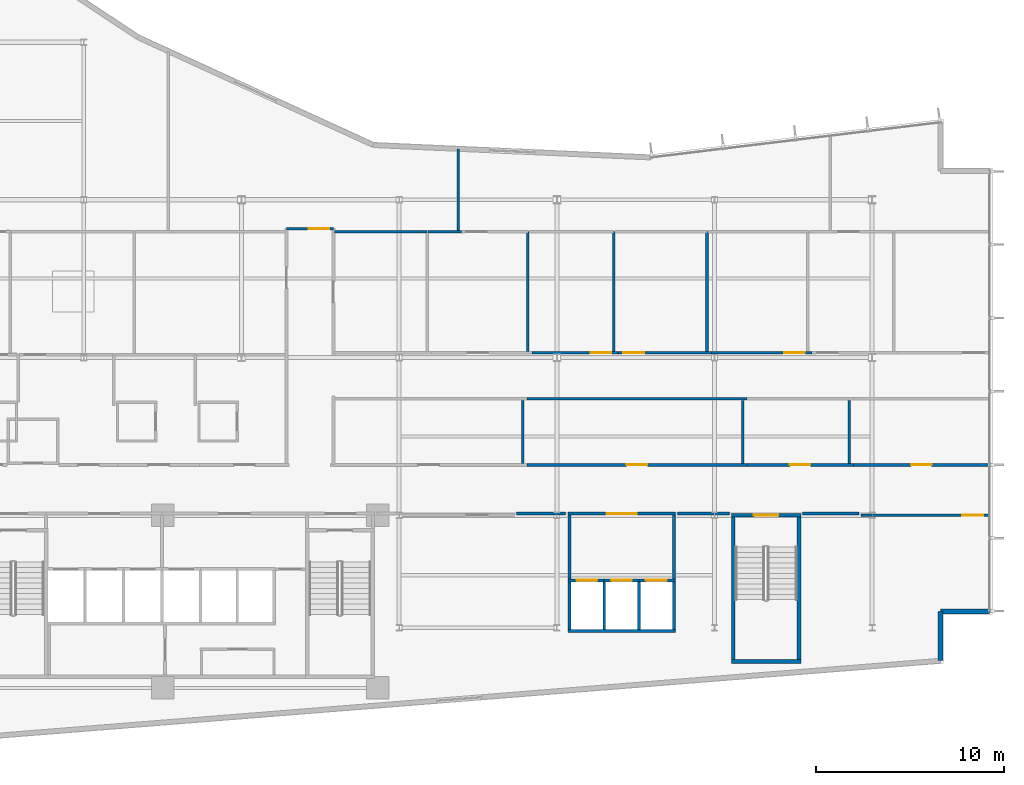
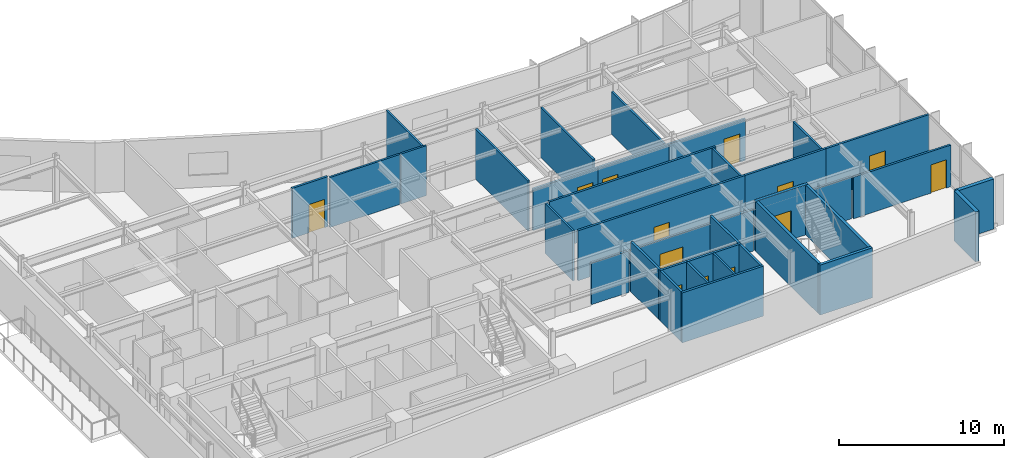
# One storey, part 12 of 17: 38 walls, 13 doors, 13 openings.
"""IFC4 building model written with IfcOpenShell, lengths in metres."""

from ifc_helpers import new_model, si_unit, direction, frame, frame_2d, origin, place, context, subcontext, project, spatial, rectangle, extrude, material, layer, layer_set, type_object, element, fill, save


model = new_model("IFC4")

# Units and contexts
model_context = context("Model", 3, precision=1e-05, world=origin(), true_north=direction((0.0, 1.0)))
body_context = subcontext(model_context, "Body", "Model", "MODEL_VIEW")
ifc_project = project(units=[si_unit("LENGTHUNIT", "METRE"), si_unit("AREAUNIT", "SQUARE_METRE"), si_unit("VOLUMEUNIT", "CUBIC_METRE"), si_unit("PLANEANGLEUNIT", "RADIAN"), si_unit("MASSUNIT", "GRAM", prefix="KILO")], contexts=[model_context])

# Site, building, storey
site_placement = place(None, origin())
site = spatial("IfcSite", under=ifc_project, at=site_placement, CompositionType="ELEMENT")
building_placement = place(site_placement, origin())
building = spatial("IfcBuilding", under=site, at=building_placement, Name="Varnakote Quay Hospital", CompositionType="ELEMENT")
storey_placement = place(building_placement, frame((0.0, 0.0, 127.050048828125)))
storey = spatial("IfcBuildingStorey", under=building, at=storey_placement, Name="L31", CompositionType="ELEMENT", Elevation=127.050048828125)

# Walls
ifc_material_1 = material(Name="Fire-rated acoustic gypsum stud wall", Category="gypsum")
ifc_layer_1 = layer(ifc_material_1, 0.159912109375)
ifc_layer_set_1 = layer_set([ifc_layer_1], Name="Fire-rated acoustic gypsum stud wall")
wall_type_1 = type_object("IfcWallType", Name="WL-COMP-160", PredefinedType="PARTITIONING", material=ifc_layer_set_1)
for number, where, z_axis, x_axis, name in (
    (1, (34.27001953125, 8.610107421875, 0.0), (0.0, 0.0, 1.0), (0.0, 1.0, 0.0), "L31 Mid-Rise Lift Lobby West Wall"),
    (2, (39.830078125, 8.610107421875, 0.0), (0.0, 0.0, 1.0), (0.0, 1.0, 0.0), "L31 Mid-Rise Lift Lobby East Wall"),
):
    element("IfcWall", number, at=place(storey_placement, frame(where, z_axis=z_axis, x_axis=x_axis)), inside=storey, type_object=wall_type_1, Name=name, PredefinedType="PARTITIONING", context=body_context, shape_type="SweptSolid", body=[
        extrude(rectangle(XDim=3.389892578125, YDim=0.159912109375, at=frame_2d((1.69482421875, 0.0))), origin(), (0.0, 0.0, 1.0), 3.7099609375),
    ])

# Wall, opening, door
wall_1_placement = place(storey_placement, frame((34.18994140625, 12.080078125, 0.0), z_axis=(0.0, 0.0, 1.0), x_axis=(1.0, 0.0, 0.0)))
wall_1 = element("IfcWall", 3, at=wall_1_placement, inside=storey, type_object=wall_type_1, Name="L31 Mid-Rise Lift Lobby North Wall", PredefinedType="PARTITIONING", context=body_context, shape_type="SweptSolid", body=[
    extrude(rectangle(XDim=5.719970703125, YDim=0.159912109375, at=frame_2d((2.85986328125, 0.0))), origin(), (0.0, 0.0, 1.0), 3.0830078125),
])
opening_1_placement = place(wall_1_placement, frame((2.06005859375, 0.0, 0.0)))
opening_1 = element("IfcOpeningElement", 4, at=opening_1_placement, cuts=wall_1, Name="Opening D-PML-L31", PredefinedType="OPENING", context=body_context, shape_type="SweptSolid", body=[
    extrude(rectangle(XDim=1.60009765625, YDim=2.050048828125, at=frame_2d((0.800048828125, 1.02490234375))), frame((0.0, 0.08984375, 0.0), z_axis=(0.0, -1.0, 0.0), x_axis=(1.0, 0.0, 0.0)), (0.0, 0.0, 1.0), 0.179931640625),
])
ifc_material_2 = material(Name="Fire-rated double smoke lobby door")
door_type_1 = type_object("IfcDoorType", Name="DR-LOBBY-FD60S-1600x2150", OperationType="NOTDEFINED", PredefinedType="DOOR", material=ifc_material_2)
door_1_placement = place(opening_1_placement, origin())
door_1 = element("IfcDoor", 5, at=door_1_placement, inside=storey, type_object=door_type_1, Name="L31 Mid-Rise Passenger Concourse Vestibule Door", OperationType="DOUBLE_DOOR_SINGLE_SWING", OverallHeight=2.050048828125, OverallWidth=1.60009765625, PredefinedType="DOOR", context=body_context, shape_type="SweptSolid", body=[
    extrude(rectangle(XDim=1.60009765625, YDim=2.050048828125, at=frame_2d((0.800048828125, 1.02490234375))), frame((0.0, 0.02490234375, 0.0), z_axis=(0.0, -1.0, 0.0), x_axis=(1.0, 0.0, 0.0)), (0.0, 0.0, 1.0), 0.050048828125),
])
fill(opening_1, door_1)

# Walls
wall_2_placement = place(storey_placement, frame((31.439208984375, 12.080078125, 0.0), z_axis=(0.0, 0.0, 1.0), x_axis=(1.0, 0.0, 0.0)))
element("IfcWall", 6, at=wall_2_placement, inside=storey, type_object=wall_type_1, Name="L31 Corridor South Gap Wall", PredefinedType="PARTITIONING", context=body_context, shape_type="SweptSolid", body=[
    extrude(rectangle(XDim=2.630859375, YDim=0.159912109375, at=frame_2d((1.3154296875, 0.0))), origin(), (0.0, 0.0, 1.0), 3.0830078125),
])
wall_3_placement = place(storey_placement, frame((40.030029296875, 12.080078125, 0.0), z_axis=(0.0, 0.0, 1.0), x_axis=(1.0, 0.0, 0.0)))
element("IfcWall", 7, at=wall_3_placement, inside=storey, type_object=wall_type_1, Name="L31 Corridor South Gap Wall", PredefinedType="PARTITIONING", context=body_context, shape_type="SweptSolid", body=[
    extrude(rectangle(XDim=2.78076171875, YDim=0.159912109375, at=frame_2d((1.390380859375, 0.0))), origin(), (0.0, 0.0, 1.0), 3.0830078125),
])
wall_4_placement = place(storey_placement, frame((46.689208984375, 12.080078125, 0.0), z_axis=(0.0, 0.0, 1.0), x_axis=(1.0, 0.0, 0.0)))
element("IfcWall", 8, at=wall_4_placement, inside=storey, type_object=wall_type_1, Name="L31 Corridor South Gap Wall", PredefinedType="PARTITIONING", context=body_context, shape_type="SweptSolid", body=[
    extrude(rectangle(XDim=3.0107421875, YDim=0.159912109375, at=frame_2d((1.50537109375, 0.0))), origin(), (0.0, 0.0, 1.0), 3.0830078125),
])
ifc_material_3 = material(Name="Precast concrete N50 (f'c 50 MPa)", Category="concrete")
ifc_layer_2 = layer(ifc_material_3, 0.260009765625)
ifc_layer_set_2 = layer_set([ifc_layer_2], Name="Precast concrete N50 (f'c 50 MPa)")
wall_type_2 = type_object("IfcWallType", Name="WL-EXT-BRICK-260", PredefinedType="STANDARD", material=ifc_layer_set_2)
wall_5_placement = place(storey_placement, frame((54.0400390625, 4.247802734375, 0.0), z_axis=(0.0, 0.0, 1.0), x_axis=(0.0, 1.0, 0.0)))
element("IfcWall", 9, at=wall_5_placement, inside=storey, type_object=wall_type_2, Name="L31 Brick-Faced Precast Exterior Wall", PredefinedType="STANDARD", context=body_context, shape_type="SweptSolid", body=[
    extrude(rectangle(XDim=2.6123046875, YDim=0.260009765625, at=frame_2d((1.30615234375, 0.0))), origin(), (0.0, 0.0, 1.0), 3.7099609375),
])
wall_6_placement = place(storey_placement, frame((54.0400390625, 6.860107421875, 0.0), z_axis=(0.0, 0.0, 1.0), x_axis=(1.0, 0.0, 0.0)))
element("IfcWall", 10, at=wall_6_placement, inside=storey, type_object=wall_type_2, Name="L31 Brick-Faced Precast Exterior Wall", PredefinedType="STANDARD", context=body_context, shape_type="SweptSolid", body=[
    extrude(rectangle(XDim=2.599853515625, YDim=0.260009765625, at=frame_2d((1.2998046875, 0.0))), origin(), (0.0, 0.0, 1.0), 3.7099609375),
])
ifc_material_4 = material(Name="Concrete N50 (f'c 50 MPa)", Category="concrete")
ifc_layer_3 = layer(ifc_material_4, 0.14990234375)
ifc_layer_set_3 = layer_set([ifc_layer_3], Name="Concrete N50 (f'c 50 MPa)")
wall_type_3 = type_object("IfcWallType", Name="WL-SHAFT-N50-150", PredefinedType="SHEAR", material=ifc_layer_set_3)
for number, where, z_axis, x_axis, name in (
    (11, (36.125, 5.89990234375, 0.0), (0.0, 0.0, 1.0), (0.0, 1.0, 0.0), "L31 LF-PM1 Hoistway Divider Wall"),
    (12, (37.97509765625, 5.89990234375, 0.0), (0.0, 0.0, 1.0), (0.0, 1.0, 0.0), "L31 LF-PM2 Hoistway Divider Wall"),
):
    element("IfcWall", number, at=place(storey_placement, frame(where, z_axis=z_axis, x_axis=x_axis)), inside=storey, type_object=wall_type_3, Name=name, PredefinedType="SHEAR", context=body_context, shape_type="SweptSolid", body=[
        extrude(rectangle(XDim=2.550048828125, YDim=0.14990234375, at=frame_2d((1.27490234375, 0.0))), origin(), (0.0, 0.0, 1.0), 3.7099609375),
    ])
ifc_material_5 = material(Name="Concrete N50 (f'c 50 MPa)", Category="concrete")
ifc_layer_4 = layer(ifc_material_5, 0.159912109375)
ifc_layer_set_4 = layer_set([ifc_layer_4], Name="Concrete N50 (f'c 50 MPa)")
wall_type_4 = type_object("IfcWallType", Name="WL-SHAFT-N50-160", PredefinedType="SHEAR", material=ifc_layer_set_4)
wall_7_placement = place(storey_placement, frame((34.18994140625, 5.820068359375, 0.0), z_axis=(0.0, 0.0, 1.0), x_axis=(1.0, 0.0, 0.0)))
element("IfcWall", 13, at=wall_7_placement, inside=storey, type_object=wall_type_4, Name="L31 MID Lift Bank Back Shear Wall", PredefinedType="SHEAR", context=body_context, shape_type="SweptSolid", body=[
    extrude(rectangle(XDim=5.719970703125, YDim=0.159912109375, at=frame_2d((2.85986328125, 0.0))), origin(), (0.0, 0.0, 1.0), 3.7099609375),
])
for number, where, z_axis, x_axis, name in (
    (14, (34.27001953125, 5.89990234375, 0.0), (0.0, 0.0, 1.0), (0.0, 1.0, 0.0), "L31 MID Lift Bank West Shear Wall"),
    (15, (39.830078125, 5.89990234375, 0.0), (0.0, 0.0, 1.0), (0.0, 1.0, 0.0), "L31 MID Lift Bank East Shear Wall"),
):
    element("IfcWall", number, at=place(storey_placement, frame(where, z_axis=z_axis, x_axis=x_axis)), inside=storey, type_object=wall_type_4, Name=name, PredefinedType="SHEAR", context=body_context, shape_type="SweptSolid", body=[
        extrude(rectangle(XDim=2.550048828125, YDim=0.159912109375, at=frame_2d((1.27490234375, 0.0))), origin(), (0.0, 0.0, 1.0), 3.7099609375),
    ])

# Wall, opening, door
wall_8_placement = place(storey_placement, frame((34.18994140625, 8.530029296875, 0.0), z_axis=(0.0, 0.0, 1.0), x_axis=(1.0, 0.0, 0.0)))
wall_8 = element("IfcWall", 16, at=wall_8_placement, inside=storey, type_object=wall_type_4, Name="L31 LF-PM1 Hoistway Front Wall", PredefinedType="SHEAR", context=body_context, shape_type="SweptSolid", body=[
    extrude(rectangle(XDim=1.93505859375, YDim=0.159912109375, at=frame_2d((0.967529296875, 0.0))), origin(), (0.0, 0.0, 1.0), 3.7099609375),
])
opening_2_placement = place(wall_8_placement, frame((0.4599609375, 0.0, 0.0)))
opening_2 = element("IfcOpeningElement", 17, at=opening_2_placement, cuts=wall_8, Name="Opening LD-PM1-L31", PredefinedType="OPENING", context=body_context, shape_type="SweptSolid", body=[
    extrude(rectangle(XDim=1.10009765625, YDim=2.14990234375, at=frame_2d((0.550048828125, 1.074951171875))), frame((0.0, 0.08984375, 0.0), z_axis=(0.0, -1.0, 0.0), x_axis=(1.0, 0.0, 0.0)), (0.0, 0.0, 1.0), 0.179931640625),
])
ifc_material_6 = material(Name="Brushed bronze lift landing sliding door")
door_type_2 = type_object("IfcDoorType", Name="DR-LIFT-LD-1100x2150", OperationType="NOTDEFINED", PredefinedType="DOOR", material=ifc_material_6)
door_2_placement = place(opening_2_placement, origin())
door_2 = element("IfcDoor", 18, at=door_2_placement, inside=storey, type_object=door_type_2, Name="L31 LF-PM1 Lift Landing Sliding Door", OperationType="SLIDING_TO_LEFT", OverallHeight=2.14990234375, OverallWidth=1.10009765625, PredefinedType="DOOR", context=body_context, shape_type="SweptSolid", body=[
    extrude(rectangle(XDim=1.10009765625, YDim=2.14990234375, at=frame_2d((0.550048828125, 1.074951171875))), frame((0.0, 0.02490234375, 0.0), z_axis=(0.0, -1.0, 0.0), x_axis=(1.0, 0.0, 0.0)), (0.0, 0.0, 1.0), 0.050048828125),
])
fill(opening_2, door_2)

wall_9_placement = place(storey_placement, frame((36.125, 8.530029296875, 0.0), z_axis=(0.0, 0.0, 1.0), x_axis=(1.0, 0.0, 0.0)))
wall_9 = element("IfcWall", 19, at=wall_9_placement, inside=storey, type_object=wall_type_4, Name="L31 LF-PM2 Hoistway Front Wall", PredefinedType="SHEAR", context=body_context, shape_type="SweptSolid", body=[
    extrude(rectangle(XDim=1.85009765625, YDim=0.159912109375, at=frame_2d((0.925048828125, 0.0))), origin(), (0.0, 0.0, 1.0), 3.7099609375),
])
opening_3_placement = place(wall_9_placement, frame((0.375, 0.0, 0.0)))
opening_3 = element("IfcOpeningElement", 20, at=opening_3_placement, cuts=wall_9, Name="Opening LD-PM2-L31", PredefinedType="OPENING", context=body_context, shape_type="SweptSolid", body=[
    extrude(rectangle(XDim=1.10009765625, YDim=2.14990234375, at=frame_2d((0.550048828125, 1.074951171875))), frame((0.0, 0.08984375, 0.0), z_axis=(0.0, -1.0, 0.0), x_axis=(1.0, 0.0, 0.0)), (0.0, 0.0, 1.0), 0.179931640625),
])
door_3_placement = place(opening_3_placement, origin())
door_3 = element("IfcDoor", 21, at=door_3_placement, inside=storey, type_object=door_type_2, Name="L31 LF-PM2 Lift Landing Sliding Door", OperationType="SLIDING_TO_LEFT", OverallHeight=2.14990234375, OverallWidth=1.10009765625, PredefinedType="DOOR", context=body_context, shape_type="SweptSolid", body=[
    extrude(rectangle(XDim=1.10009765625, YDim=2.14990234375, at=frame_2d((0.550048828125, 1.074951171875))), frame((0.0, 0.02490234375, 0.0), z_axis=(0.0, -1.0, 0.0), x_axis=(1.0, 0.0, 0.0)), (0.0, 0.0, 1.0), 0.050048828125),
])
fill(opening_3, door_3)

wall_10_placement = place(storey_placement, frame((37.97509765625, 8.530029296875, 0.0), z_axis=(0.0, 0.0, 1.0), x_axis=(1.0, 0.0, 0.0)))
wall_10 = element("IfcWall", 22, at=wall_10_placement, inside=storey, type_object=wall_type_4, Name="L31 LF-PM3 Hoistway Front Wall", PredefinedType="SHEAR", context=body_context, shape_type="SweptSolid", body=[
    extrude(rectangle(XDim=1.934814453125, YDim=0.159912109375, at=frame_2d((0.96728515625, 0.0))), origin(), (0.0, 0.0, 1.0), 3.7099609375),
])
opening_4_placement = place(wall_10_placement, frame((0.375, 0.0, 0.0)))
opening_4 = element("IfcOpeningElement", 23, at=opening_4_placement, cuts=wall_10, Name="Opening LD-PM3-L31", PredefinedType="OPENING", context=body_context, shape_type="SweptSolid", body=[
    extrude(rectangle(XDim=1.10009765625, YDim=2.14990234375, at=frame_2d((0.550048828125, 1.074951171875))), frame((0.0, 0.08984375, 0.0), z_axis=(0.0, -1.0, 0.0), x_axis=(1.0, 0.0, 0.0)), (0.0, 0.0, 1.0), 0.179931640625),
])
door_4_placement = place(opening_4_placement, origin())
door_4 = element("IfcDoor", 24, at=door_4_placement, inside=storey, type_object=door_type_2, Name="L31 LF-PM3 Lift Landing Sliding Door", OperationType="SLIDING_TO_LEFT", OverallHeight=2.14990234375, OverallWidth=1.10009765625, PredefinedType="DOOR", context=body_context, shape_type="SweptSolid", body=[
    extrude(rectangle(XDim=1.10009765625, YDim=2.14990234375, at=frame_2d((0.550048828125, 1.074951171875))), frame((0.0, 0.02490234375, 0.0), z_axis=(0.0, -1.0, 0.0), x_axis=(1.0, 0.0, 0.0)), (0.0, 0.0, 1.0), 0.050048828125),
])
fill(opening_4, door_4)

# Walls
ifc_material_7 = material(Name="Concrete N50 (f'c 50 MPa)", Category="concrete")
ifc_layer_5 = layer(ifc_material_7, 0.199951171875)
ifc_layer_set_5 = layer_set([ifc_layer_5], Name="Concrete N50 (f'c 50 MPa)")
wall_type_5 = type_object("IfcWallType", Name="WL-SHAFT-N50-200", PredefinedType="SHEAR", material=ifc_layer_set_5)
wall_11_placement = place(storey_placement, frame((42.89990234375, 4.199951171875, 0.0), z_axis=(0.0, 0.0, 1.0), x_axis=(1.0, 0.0, 0.0)))
element("IfcWall", 25, at=wall_11_placement, inside=storey, type_object=wall_type_5, Name="L31 Stair ST3 South Shaft Wall", PredefinedType="SHEAR", context=body_context, shape_type="SweptSolid", body=[
    extrude(rectangle(XDim=3.7001953125, YDim=0.199951171875, at=frame_2d((1.85009765625, 0.0))), origin(), (0.0, 0.0, 1.0), 3.7099609375),
])
for number, where, z_axis, x_axis, name in (
    (26, (43.0, 4.300048828125, 0.0), (0.0, 0.0, 1.0), (0.0, 1.0, 0.0), "L31 Stair ST3 West Shaft Wall"),
    (27, (46.5, 4.300048828125, 0.0), (0.0, 0.0, 1.0), (0.0, 1.0, 0.0), "L31 Stair ST3 East Shaft Wall"),
):
    element("IfcWall", number, at=place(storey_placement, frame(where, z_axis=z_axis, x_axis=x_axis)), inside=storey, type_object=wall_type_5, Name=name, PredefinedType="SHEAR", context=body_context, shape_type="SweptSolid", body=[
        extrude(rectangle(XDim=7.599853515625, YDim=0.199951171875, at=frame_2d((3.7998046875, 0.0))), origin(), (0.0, 0.0, 1.0), 3.7099609375),
    ])

# Wall, opening, door
wall_12_placement = place(storey_placement, frame((42.89990234375, 12.0, 0.0), z_axis=(0.0, 0.0, 1.0), x_axis=(1.0, 0.0, 0.0)))
wall_12 = element("IfcWall", 28, at=wall_12_placement, inside=storey, type_object=wall_type_5, Name="L31 Stair ST3 Exit Wall", PredefinedType="SHEAR", context=body_context, shape_type="SweptSolid", body=[
    extrude(rectangle(XDim=3.7001953125, YDim=0.199951171875, at=frame_2d((1.85009765625, 0.0))), origin(), (0.0, 0.0, 1.0), 3.7099609375),
])
opening_5_placement = place(wall_12_placement, frame((1.199951171875, 0.0, 0.0)))
opening_5 = element("IfcOpeningElement", 29, at=opening_5_placement, cuts=wall_12, Name="Opening D-ST3-L31", PredefinedType="OPENING", context=body_context, shape_type="SweptSolid", body=[
    extrude(rectangle(XDim=1.300048828125, YDim=2.14990234375, at=frame_2d((0.64990234375, 1.074951171875))), frame((0.0, 0.10986328125, 0.0), z_axis=(0.0, -1.0, 0.0), x_axis=(1.0, 0.0, 0.0)), (0.0, 0.0, 1.0), 0.219970703125),
])
ifc_material_8 = material(Name="Fire-rated ceramic-glazed timber exit door", Category="wood")
door_type_3 = type_object("IfcDoorType", Name="DR-STAIR-FD60S-1300x2150", OperationType="NOTDEFINED", PredefinedType="DOOR", material=ifc_material_8)
door_5_placement = place(opening_5_placement, origin())
door_5 = element("IfcDoor", 30, at=door_5_placement, inside=storey, type_object=door_type_3, Name="L31 Stair ST3 Fire Exit Door", OperationType="SINGLE_SWING_LEFT", OverallHeight=2.14990234375, OverallWidth=1.300048828125, PredefinedType="DOOR", context=body_context, shape_type="SweptSolid", body=[
    extrude(rectangle(XDim=1.300048828125, YDim=2.14990234375, at=frame_2d((0.64990234375, 1.074951171875))), frame((0.0, 0.02490234375, 0.0), z_axis=(0.0, -1.0, 0.0), x_axis=(1.0, 0.0, 0.0)), (0.0, 0.0, 1.0), 0.050048828125),
])
fill(opening_5, door_5)

# Walls
ifc_material_9 = material(Name="Smoke-proof clinical partition", Category="gypsum")
ifc_layer_6 = layer(ifc_material_9, 0.135009765625)
ifc_layer_set_6 = layer_set([ifc_layer_6], Name="Smoke-proof clinical partition")
wall_type_6 = type_object("IfcWallType", Name="WL-SMOKE-135", PredefinedType="PARTITIONING", material=ifc_layer_set_6)
for number, where, z_axis, x_axis, name in (
    (31, (31.780029296875, 14.760009765625, 0.0), (0.0, 0.0, 1.0), (0.0, 1.0, 0.0), "L31 Clinical Interior Partition"),
    (32, (43.5, 14.760009765625, 0.0), (0.0, 0.0, 1.0), (0.0, 1.0, 0.0), "L31 Clinical Interior Partition"),
    (33, (49.169921875, 14.760009765625, 0.0), (0.0, 0.0, 1.0), (0.0, 1.0, 0.0), "L31 Clinical Interior Partition"),
):
    element("IfcWall", number, at=place(storey_placement, frame(where, z_axis=z_axis, x_axis=x_axis)), inside=storey, type_object=wall_type_6, Name=name, PredefinedType="PARTITIONING", context=body_context, shape_type="SweptSolid", body=[
        extrude(rectangle(XDim=3.360107421875, YDim=0.135009765625, at=frame_2d((1.68017578125, 0.0))), origin(), (0.0, 0.0, 1.0), 3.7099609375),
    ])
wall_13_placement = place(storey_placement, frame((26.68994140625, 27.10009765625, 0.0), z_axis=(0.0, 0.0, 1.0), x_axis=(-1.0, 0.0, 0.0)))
element("IfcWall", 34, at=wall_13_placement, inside=storey, type_object=wall_type_6, Name="L31 Clinical Interior Partition", PredefinedType="PARTITIONING", context=body_context, shape_type="SweptSolid", body=[
    extrude(rectangle(XDim=4.925048828125, YDim=0.135009765625, at=frame_2d((2.46240234375, 0.0))), origin(), (0.0, 0.0, 1.0), 3.7099609375),
])
wall_14_placement = place(storey_placement, frame((32.06005859375, 20.715087890625, 0.0), z_axis=(0.0, 0.0, 1.0), x_axis=(0.0, 1.0, 0.0)))
element("IfcWall", 35, at=wall_14_placement, inside=storey, type_object=wall_type_6, Name="L31 Clinical Interior Partition", PredefinedType="PARTITIONING", context=body_context, shape_type="SweptSolid", body=[
    extrude(rectangle(XDim=6.385009765625, YDim=0.135009765625, at=frame_2d((3.1923828125, 0.0))), origin(), (0.0, 0.0, 1.0), 3.7099609375),
])
wall_15_placement = place(storey_placement, frame((28.5185546875, 27.10009765625, 0.0), z_axis=(0.0, 0.0, 1.0), x_axis=(-1.0, 0.0, 0.0)))
element("IfcWall", 36, at=wall_15_placement, inside=storey, type_object=wall_type_6, Name="L31 Clinical Interior Partition", PredefinedType="PARTITIONING", context=body_context, shape_type="SweptSolid", body=[
    extrude(rectangle(XDim=1.77099609375, YDim=0.135009765625, at=frame_2d((0.885498046875, 0.0))), origin(), (0.0, 0.0, 1.0), 3.7099609375),
])
wall_16_placement = place(storey_placement, frame((36.6298828125, 20.715087890625, 0.0), z_axis=(0.0, 0.0, 1.0), x_axis=(0.0, 1.0, 0.0)))
element("IfcWall", 37, at=wall_16_placement, inside=storey, type_object=wall_type_6, Name="L31 Clinical Interior Partition", PredefinedType="PARTITIONING", context=body_context, shape_type="SweptSolid", body=[
    extrude(rectangle(XDim=6.385009765625, YDim=0.135009765625, at=frame_2d((3.1923828125, 0.0))), origin(), (0.0, 0.0, 1.0), 3.7099609375),
])
wall_17_placement = place(storey_placement, frame((41.60009765625, 20.715087890625, 0.0), z_axis=(0.0, 0.0, 1.0), x_axis=(0.0, 1.0, 0.0)))
element("IfcWall", 38, at=wall_17_placement, inside=storey, type_object=wall_type_6, Name="L31 Clinical Interior Partition", PredefinedType="PARTITIONING", context=body_context, shape_type="SweptSolid", body=[
    extrude(rectangle(XDim=6.385009765625, YDim=0.135009765625, at=frame_2d((3.1923828125, 0.0))), origin(), (0.0, 0.0, 1.0), 3.15185546875),
])
wall_18_placement = place(storey_placement, frame((28.340087890625, 27.157470703125, 0.0), z_axis=(0.0, 0.0, 1.0), x_axis=(0.0, 1.0, 0.0)))
element("IfcWall", 39, at=wall_18_placement, inside=storey, type_object=wall_type_6, Name="L31 Clinical Interior Partition", PredefinedType="PARTITIONING", context=body_context, shape_type="SweptSolid", body=[
    extrude(rectangle(XDim=4.355224609375, YDim=0.135009765625, at=frame_2d((2.177734375, 0.0))), origin(), (0.0, 0.0, 1.0), 3.7099609375),
])

# Wall, opening, door
ifc_material_10 = material(Name="Fire-rated clinical gypsum partition", Category="gypsum")
ifc_layer_7 = layer(ifc_material_10, 0.14990234375)
ifc_layer_set_7 = layer_set([ifc_layer_7], Name="Fire-rated clinical gypsum partition")
wall_type_7 = type_object("IfcWallType", Name="WL-WARD-150", PredefinedType="PARTITIONING", material=ifc_layer_set_7)
wall_19_placement = place(storey_placement, frame((56.639892578125, 12.0, 0.0), z_axis=(0.0, 0.0, 1.0), x_axis=(-1.0, 0.0, 0.0)))
wall_19 = element("IfcWall", 40, at=wall_19_placement, inside=storey, type_object=wall_type_7, Name="L31 Clinical Interior Partition", PredefinedType="PARTITIONING", context=body_context, shape_type="SweptSolid", body=[
    extrude(rectangle(XDim=6.83984375, YDim=0.14990234375, at=frame_2d((3.419921875, 0.0))), origin(), (0.0, 0.0, 1.0), 3.0830078125),
])
opening_6_placement = place(wall_19_placement, frame((0.33349609375, 0.0, 0.0)))
opening_6 = element("IfcOpeningElement", 41, at=opening_6_placement, cuts=wall_19, Name="Opening D-L31-SE1", PredefinedType="OPENING", context=body_context, shape_type="SweptSolid", body=[
    extrude(rectangle(XDim=1.10009765625, YDim=2.10009765625, at=frame_2d((0.550048828125, 1.050048828125))), frame((0.0, 0.0849609375, 0.0), z_axis=(0.0, -1.0, 0.0), x_axis=(1.0, 0.0, 0.0)), (0.0, 0.0, 1.0), 0.169921875),
])
ifc_material_11 = material(Name="Acoustic timber clinical consult door", Category="wood")
door_type_4 = type_object("IfcDoorType", Name="DR-CLIN-FD30S-1100x2100", OperationType="NOTDEFINED", PredefinedType="DOOR", material=ifc_material_11)
door_6_placement = place(opening_6_placement, origin())
door_6 = element("IfcDoor", 42, at=door_6_placement, inside=storey, type_object=door_type_4, Name="L31 Clinical Biomedical Engineering Office Door", OperationType="SINGLE_SWING_RIGHT", OverallHeight=2.10009765625, OverallWidth=1.10009765625, PredefinedType="DOOR", context=body_context, shape_type="SweptSolid", body=[
    extrude(rectangle(XDim=1.10009765625, YDim=2.10009765625, at=frame_2d((0.550048828125, 1.050048828125))), frame((0.0, 0.02490234375, 0.0), z_axis=(0.0, -1.0, 0.0), x_axis=(1.0, 0.0, 0.0)), (0.0, 0.0, 1.0), 0.050048828125),
])
fill(opening_6, door_6)

wall_20_placement = place(storey_placement, frame((43.72607421875, 14.679931640625, 0.0), z_axis=(0.0, 0.0, 1.0), x_axis=(-1.0, 0.0, 0.0)))
wall_20 = element("IfcWall", 43, at=wall_20_placement, inside=storey, type_object=wall_type_7, Name="L31 Clinical Interior Partition", PredefinedType="PARTITIONING", context=body_context, shape_type="SweptSolid", body=[
    extrude(rectangle(XDim=11.718017578125, YDim=0.14990234375, at=frame_2d((5.85888671875, 0.0))), origin(), (0.0, 0.0, 1.0), 3.7099609375),
])
opening_7_placement = place(wall_20_placement, frame((5.30908203125, 0.0, 0.0)))
opening_7 = element("IfcOpeningElement", 44, at=opening_7_placement, cuts=wall_20, Name="Opening D-L31-MD03", PredefinedType="OPENING", context=body_context, shape_type="SweptSolid", body=[
    extrude(rectangle(XDim=1.10009765625, YDim=2.10009765625, at=frame_2d((0.550048828125, 1.050048828125))), frame((0.0, 0.0849609375, 0.0), z_axis=(0.0, -1.0, 0.0), x_axis=(1.0, 0.0, 0.0)), (0.0, 0.0, 1.0), 0.169921875),
])
door_7_placement = place(opening_7_placement, origin())
door_7 = element("IfcDoor", 45, at=door_7_placement, inside=storey, type_object=door_type_4, Name="L31 Perinatal Clinical Consultation Suite Door", OperationType="SINGLE_SWING_RIGHT", OverallHeight=2.10009765625, OverallWidth=1.10009765625, PredefinedType="DOOR", context=body_context, shape_type="SweptSolid", body=[
    extrude(rectangle(XDim=1.10009765625, YDim=2.10009765625, at=frame_2d((0.550048828125, 1.050048828125))), frame((0.0, 0.02490234375, 0.0), z_axis=(0.0, -1.0, 0.0), x_axis=(1.0, 0.0, 0.0)), (0.0, 0.0, 1.0), 0.050048828125),
])
fill(opening_7, door_7)

wall_21_placement = place(storey_placement, frame((49.39599609375, 14.679931640625, 0.0), z_axis=(0.0, 0.0, 1.0), x_axis=(-1.0, 0.0, 0.0)))
wall_21 = element("IfcWall", 46, at=wall_21_placement, inside=storey, type_object=wall_type_7, Name="L31 Clinical Interior Partition", PredefinedType="PARTITIONING", context=body_context, shape_type="SweptSolid", body=[
    extrude(rectangle(XDim=5.66796875, YDim=0.14990234375, at=frame_2d((2.833984375, 0.0))), origin(), (0.0, 0.0, 1.0), 3.7099609375),
])
opening_8_placement = place(wall_21_placement, frame((2.283935546875, 0.0, 0.0)))
opening_8 = element("IfcOpeningElement", 47, at=opening_8_placement, cuts=wall_21, Name="Opening D-L31-MD04", PredefinedType="OPENING", context=body_context, shape_type="SweptSolid", body=[
    extrude(rectangle(XDim=1.10009765625, YDim=2.10009765625, at=frame_2d((0.550048828125, 1.050048828125))), frame((0.0, 0.0849609375, 0.0), z_axis=(0.0, -1.0, 0.0), x_axis=(1.0, 0.0, 0.0)), (0.0, 0.0, 1.0), 0.169921875),
])
door_8_placement = place(opening_8_placement, origin())
door_8 = element("IfcDoor", 48, at=door_8_placement, inside=storey, type_object=door_type_4, Name="L31 Midwifery Coordination Office Door", OperationType="SINGLE_SWING_LEFT", OverallHeight=2.10009765625, OverallWidth=1.10009765625, PredefinedType="DOOR", context=body_context, shape_type="SweptSolid", body=[
    extrude(rectangle(XDim=1.10009765625, YDim=2.10009765625, at=frame_2d((0.550048828125, 1.050048828125))), frame((0.0, 0.02490234375, 0.0), z_axis=(0.0, -1.0, 0.0), x_axis=(1.0, 0.0, 0.0)), (0.0, 0.0, 1.0), 0.050048828125),
])
fill(opening_8, door_8)

wall_22_placement = place(storey_placement, frame((56.639892578125, 14.679931640625, 0.0), z_axis=(0.0, 0.0, 1.0), x_axis=(-1.0, 0.0, 0.0)))
wall_22 = element("IfcWall", 49, at=wall_22_placement, inside=storey, type_object=wall_type_7, Name="L31 Clinical Interior Partition", PredefinedType="PARTITIONING", context=body_context, shape_type="SweptSolid", body=[
    extrude(rectangle(XDim=7.241943359375, YDim=0.14990234375, at=frame_2d((3.62109375, 0.0))), origin(), (0.0, 0.0, 1.0), 3.7099609375),
])
opening_9_placement = place(wall_22_placement, frame((3.071044921875, 0.0, 0.0)))
opening_9 = element("IfcOpeningElement", 50, at=opening_9_placement, cuts=wall_22, Name="Opening D-L31-MD05", PredefinedType="OPENING", context=body_context, shape_type="SweptSolid", body=[
    extrude(rectangle(XDim=1.10009765625, YDim=2.10009765625, at=frame_2d((0.550048828125, 1.050048828125))), frame((0.0, 0.0849609375, 0.0), z_axis=(0.0, -1.0, 0.0), x_axis=(1.0, 0.0, 0.0)), (0.0, 0.0, 1.0), 0.169921875),
])
door_9_placement = place(opening_9_placement, origin())
door_9 = element("IfcDoor", 51, at=door_9_placement, inside=storey, type_object=door_type_4, Name="L31 Paediatric Clinical Teaching Room Door", OperationType="SINGLE_SWING_RIGHT", OverallHeight=2.10009765625, OverallWidth=1.10009765625, PredefinedType="DOOR", context=body_context, shape_type="SweptSolid", body=[
    extrude(rectangle(XDim=1.10009765625, YDim=2.10009765625, at=frame_2d((0.550048828125, 1.050048828125))), frame((0.0, 0.02490234375, 0.0), z_axis=(0.0, -1.0, 0.0), x_axis=(1.0, 0.0, 0.0)), (0.0, 0.0, 1.0), 0.050048828125),
])
fill(opening_9, door_9)

wall_23_placement = place(storey_placement, frame((21.699951171875, 27.260009765625, 0.0), z_axis=(0.0, 0.0, 1.0), x_axis=(-1.0, 0.0, 0.0)))
wall_23 = element("IfcWall", 52, at=wall_23_placement, inside=storey, type_object=wall_type_7, Name="L31 Clinical Interior Partition", PredefinedType="PARTITIONING", context=body_context, shape_type="SweptSolid", body=[
    extrude(rectangle(XDim=2.5, YDim=0.14990234375, at=frame_2d((1.25, 0.0))), origin(), (0.0, 0.0, 1.0), 3.7099609375),
])
opening_10_placement = place(wall_23_placement, frame((0.22509765625, 0.0, 0.0)))
opening_10 = element("IfcOpeningElement", 53, at=opening_10_placement, cuts=wall_23, Name="Opening D-L31-MD16", PredefinedType="OPENING", context=body_context, shape_type="SweptSolid", body=[
    extrude(rectangle(XDim=1.10009765625, YDim=2.10009765625, at=frame_2d((0.550048828125, 1.050048828125))), frame((0.0, 0.0849609375, 0.0), z_axis=(0.0, -1.0, 0.0), x_axis=(1.0, 0.0, 0.0)), (0.0, 0.0, 1.0), 0.169921875),
])
door_10_placement = place(opening_10_placement, origin())
door_10 = element("IfcDoor", 54, at=door_10_placement, inside=storey, type_object=door_type_4, Name="L31 Midwifery Coordination Office Door", OperationType="SINGLE_SWING_LEFT", OverallHeight=2.10009765625, OverallWidth=1.10009765625, PredefinedType="DOOR", context=body_context, shape_type="SweptSolid", body=[
    extrude(rectangle(XDim=1.10009765625, YDim=2.10009765625, at=frame_2d((0.550048828125, 1.050048828125))), frame((0.0, 0.02490234375, 0.0), z_axis=(0.0, -1.0, 0.0), x_axis=(1.0, 0.0, 0.0)), (0.0, 0.0, 1.0), 0.050048828125),
])
fill(opening_10, door_10)

# Wall
wall_24_placement = place(storey_placement, frame((32.008056640625, 18.199951171875, 0.0), z_axis=(0.0, 0.0, 1.0), x_axis=(1.0, 0.0, 0.0)))
element("IfcWall", 55, at=wall_24_placement, inside=storey, type_object=wall_type_7, Name="L31 Clinical Interior Partition", PredefinedType="PARTITIONING", context=body_context, shape_type="SweptSolid", body=[
    extrude(rectangle(XDim=11.718017578125, YDim=0.14990234375, at=frame_2d((5.85888671875, 0.0))), origin(), (0.0, 0.0, 1.0), 3.7099609375),
])

# Wall, opening, door
wall_25_placement = place(storey_placement, frame((36.85595703125, 20.64990234375, 0.0), z_axis=(0.0, 0.0, 1.0), x_axis=(-1.0, 0.0, 0.0)))
wall_25 = element("IfcWall", 56, at=wall_25_placement, inside=storey, type_object=wall_type_7, Name="L31 Clinical Interior Partition", PredefinedType="PARTITIONING", context=body_context, shape_type="SweptSolid", body=[
    extrude(rectangle(XDim=4.56787109375, YDim=0.14990234375, at=frame_2d((2.283935546875, 0.0))), origin(), (0.0, 0.0, 1.0), 3.0830078125),
])
opening_11_placement = place(wall_25_placement, frame((0.353515625, 0.0, 0.0)))
opening_11 = element("IfcOpeningElement", 57, at=opening_11_placement, cuts=wall_25, Name="Opening D-L31-MD10", PredefinedType="OPENING", context=body_context, shape_type="SweptSolid", body=[
    extrude(rectangle(XDim=1.10009765625, YDim=2.10009765625, at=frame_2d((0.550048828125, 1.050048828125))), frame((0.0, 0.0849609375, 0.0), z_axis=(0.0, -1.0, 0.0), x_axis=(1.0, 0.0, 0.0)), (0.0, 0.0, 1.0), 0.169921875),
])
door_11_placement = place(opening_11_placement, origin())
door_11 = element("IfcDoor", 58, at=door_11_placement, inside=storey, type_object=door_type_4, Name="L31 Maternity Assessment Treatment Suite Door", OperationType="SINGLE_SWING_LEFT", OverallHeight=2.10009765625, OverallWidth=1.10009765625, PredefinedType="DOOR", context=body_context, shape_type="SweptSolid", body=[
    extrude(rectangle(XDim=1.10009765625, YDim=2.10009765625, at=frame_2d((0.550048828125, 1.050048828125))), frame((0.0, 0.02490234375, 0.0), z_axis=(0.0, -1.0, 0.0), x_axis=(1.0, 0.0, 0.0)), (0.0, 0.0, 1.0), 0.050048828125),
])
fill(opening_11, door_11)

wall_26_placement = place(storey_placement, frame((41.825927734375, 20.64990234375, 0.0), z_axis=(0.0, 0.0, 1.0), x_axis=(-1.0, 0.0, 0.0)))
wall_26 = element("IfcWall", 59, at=wall_26_placement, inside=storey, type_object=wall_type_7, Name="L31 Clinical Interior Partition", PredefinedType="PARTITIONING", context=body_context, shape_type="SweptSolid", body=[
    extrude(rectangle(XDim=4.968017578125, YDim=0.14990234375, at=frame_2d((2.48388671875, 0.0))), origin(), (0.0, 0.0, 1.0), 3.0830078125),
])
opening_12_placement = place(wall_26_placement, frame((3.581298828125, 0.0, 0.0)))
opening_12 = element("IfcOpeningElement", 60, at=opening_12_placement, cuts=wall_26, Name="Opening D-L31-MD11", PredefinedType="OPENING", context=body_context, shape_type="SweptSolid", body=[
    extrude(rectangle(XDim=1.10009765625, YDim=2.10009765625, at=frame_2d((0.550048828125, 1.050048828125))), frame((0.0, 0.0849609375, 0.0), z_axis=(0.0, -1.0, 0.0), x_axis=(1.0, 0.0, 0.0)), (0.0, 0.0, 1.0), 0.169921875),
])
door_12_placement = place(opening_12_placement, origin())
door_12 = element("IfcDoor", 61, at=door_12_placement, inside=storey, type_object=door_type_4, Name="L31 Perinatal Clinical Consultation Suite Door", OperationType="SINGLE_SWING_RIGHT", OverallHeight=2.10009765625, OverallWidth=1.10009765625, PredefinedType="DOOR", context=body_context, shape_type="SweptSolid", body=[
    extrude(rectangle(XDim=1.10009765625, YDim=2.10009765625, at=frame_2d((0.550048828125, 1.050048828125))), frame((0.0, 0.02490234375, 0.0), z_axis=(0.0, -1.0, 0.0), x_axis=(1.0, 0.0, 0.0)), (0.0, 0.0, 1.0), 0.050048828125),
])
fill(opening_12, door_12)

wall_27_placement = place(storey_placement, frame((47.196044921875, 20.64990234375, 0.0), z_axis=(0.0, 0.0, 1.0), x_axis=(-1.0, 0.0, 0.0)))
wall_27 = element("IfcWall", 62, at=wall_27_placement, inside=storey, type_object=wall_type_7, Name="L31 Clinical Interior Partition", PredefinedType="PARTITIONING", context=body_context, shape_type="SweptSolid", body=[
    extrude(rectangle(XDim=5.3681640625, YDim=0.14990234375, at=frame_2d((2.68408203125, 0.0))), origin(), (0.0, 0.0, 1.0), 3.0830078125),
])
opening_13_placement = place(wall_27_placement, frame((0.393310546875, 0.0, 0.0)))
opening_13 = element("IfcOpeningElement", 63, at=opening_13_placement, cuts=wall_27, Name="Opening D-L31-MD12", PredefinedType="OPENING", context=body_context, shape_type="SweptSolid", body=[
    extrude(rectangle(XDim=1.10009765625, YDim=2.10009765625, at=frame_2d((0.550048828125, 1.050048828125))), frame((0.0, 0.0849609375, 0.0), z_axis=(0.0, -1.0, 0.0), x_axis=(1.0, 0.0, 0.0)), (0.0, 0.0, 1.0), 0.169921875),
])
door_13_placement = place(opening_13_placement, origin())
door_13 = element("IfcDoor", 64, at=door_13_placement, inside=storey, type_object=door_type_4, Name="L31 Midwifery Coordination Office Door", OperationType="SINGLE_SWING_LEFT", OverallHeight=2.10009765625, OverallWidth=1.10009765625, PredefinedType="DOOR", context=body_context, shape_type="SweptSolid", body=[
    extrude(rectangle(XDim=1.10009765625, YDim=2.10009765625, at=frame_2d((0.550048828125, 1.050048828125))), frame((0.0, 0.02490234375, 0.0), z_axis=(0.0, -1.0, 0.0), x_axis=(1.0, 0.0, 0.0)), (0.0, 0.0, 1.0), 0.050048828125),
])
fill(opening_13, door_13)

save(model, "model.ifc")
